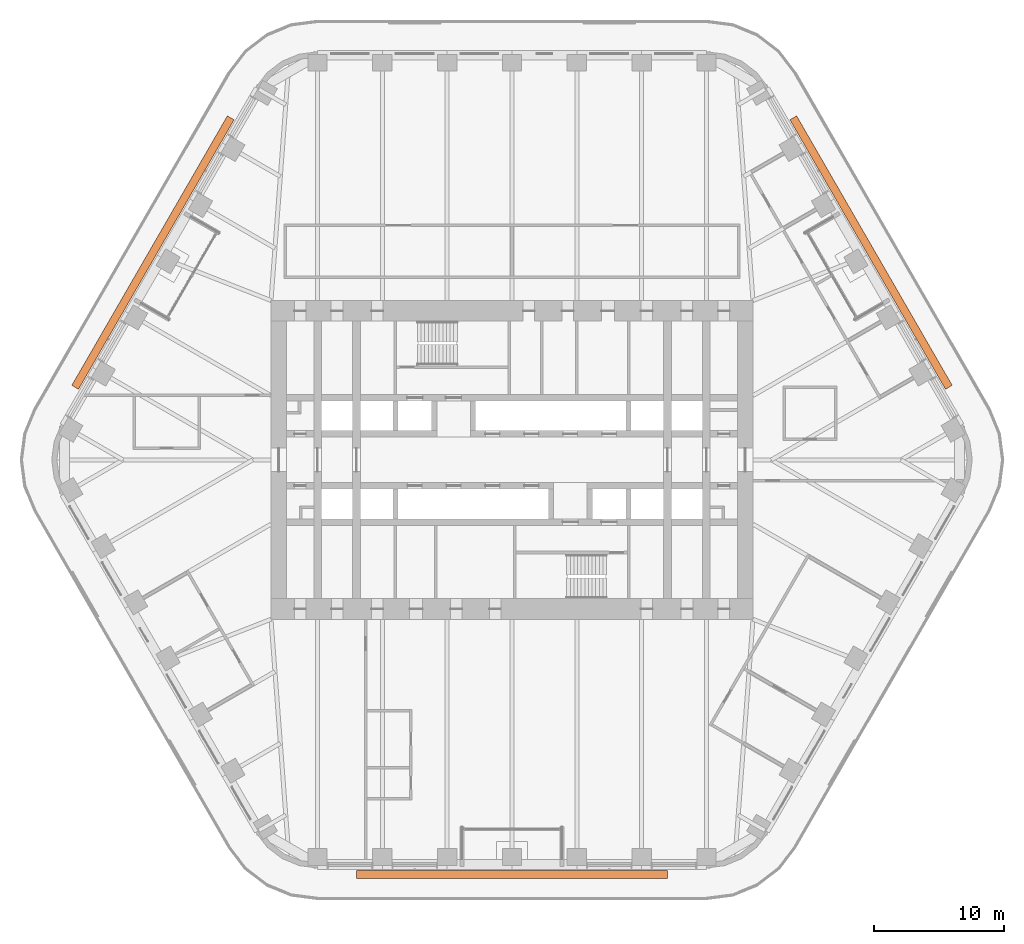
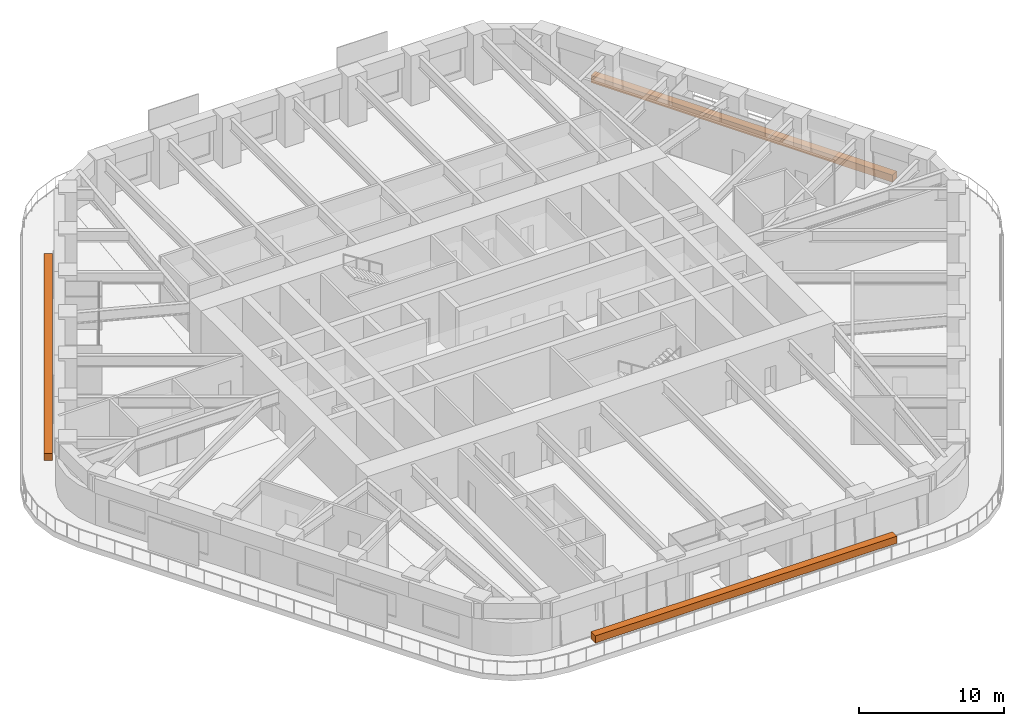
# One storey, part 24 of 24: 3 proxies.
"""IFC4 building model written with IfcOpenShell, lengths in metres."""

from ifc_helpers import new_model, si_unit, direction, frame, origin, origin_2d, place, context, subcontext, project, spatial, rectangle, extrude, material, element, save


model = new_model("IFC4")

# Units and contexts
model_context = context("Model", 3, precision=1e-05, world=origin(), true_north=direction((0.0, 1.0)))
body_context = subcontext(model_context, "Body", "Model", "MODEL_VIEW")
ifc_project = project(units=[si_unit("LENGTHUNIT", "METRE"), si_unit("AREAUNIT", "SQUARE_METRE"), si_unit("VOLUMEUNIT", "CUBIC_METRE"), si_unit("PLANEANGLEUNIT", "RADIAN"), si_unit("MASSUNIT", "GRAM", prefix="KILO")], contexts=[model_context])

# Site, building, storey
site_placement = place(None, origin())
site = spatial("IfcSite", under=ifc_project, at=site_placement, CompositionType="ELEMENT")
building_placement = place(site_placement, origin())
building = spatial("IfcBuilding", under=site, at=building_placement, Name="Tarfa Lantern Tower", CompositionType="ELEMENT")
storey_placement = place(building_placement, frame((0.0, 0.0, 186.699951171875)))
storey = spatial("IfcBuildingStorey", under=building, at=storey_placement, Name="L42", CompositionType="ELEMENT", Elevation=186.699951171875)

# Proxies
ifc_material = material(Name="Planting bed")
for number, where, z_axis, x_axis, name in (
    (1, (27.712890625, 16.0, 0.0), (0.0, 0.0, 1.0), (-0.5, 0.866025403784, 0.0), "Balcony planter"),
    (2, (-27.712890625, 16.0, 0.0), (0.0, 0.0, 1.0), (-0.5, -0.866025403784, 0.0), "Balcony planter"),
    (3, (0.0, -32.0, 0.0), (0.0, 0.0, 1.0), (1.0, 0.0, 0.0), "Balcony planter"),
):
    element("IfcBuildingElementProxy", number, at=place(storey_placement, frame(where, z_axis=z_axis, x_axis=x_axis)), inside=storey, material=ifc_material, Name=name, ObjectType="PLANTER", PredefinedType="USERDEFINED", context=body_context, shape_type="SweptSolid", body=[
        extrude(rectangle(XDim=24.017822265625, YDim=0.60009765625, at=origin_2d()), origin(), (0.0, 0.0, 1.0), 0.60009765625),
    ])

save(model, "model.ifc")
